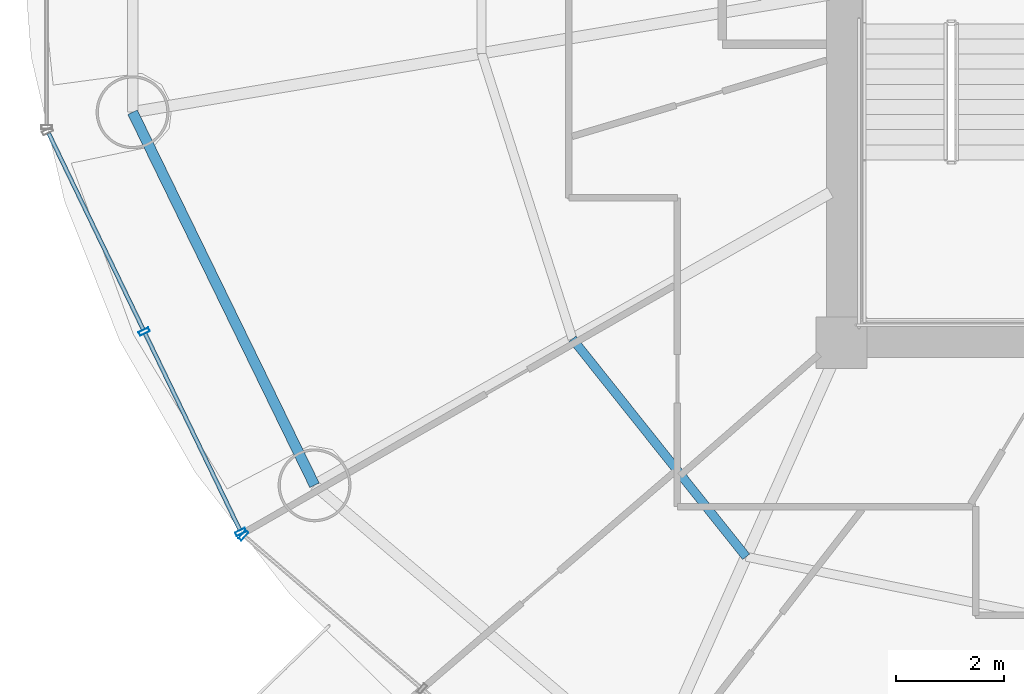
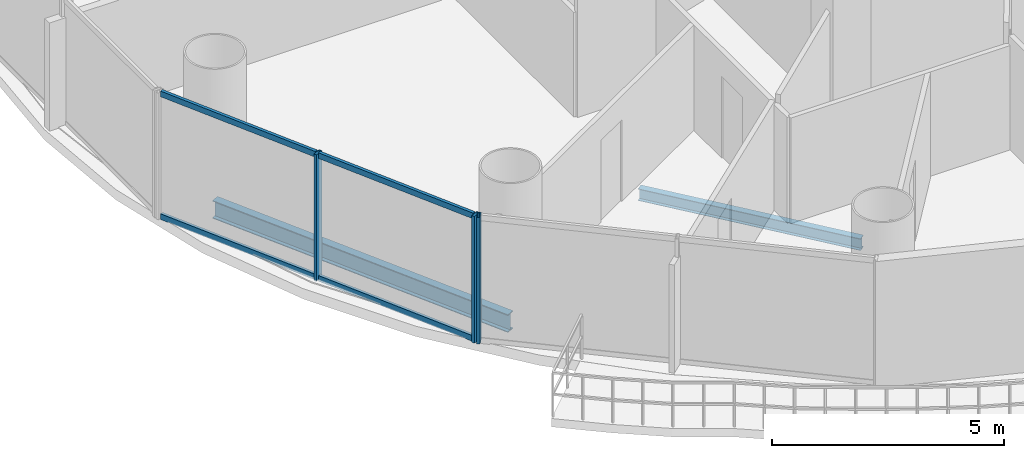
# One storey, part 3 of 27: 7 members, 2 beams, 2 elements without a shape of their own.
"""IFC4 building model written with IfcOpenShell, lengths in metres."""

from ifc_helpers import new_model, si_unit, direction, frame, origin, origin_2d, place, context, subcontext, project, spatial, hollow_rectangle, i_section, extrude, source, transform, mapped, material, material_profile, profile_set, type_object, element, aggregate, save


model = new_model("IFC4")

# Units and contexts
model_context = context("Model", 3, precision=1e-05, world=origin(), true_north=direction((-0.2419218956, 0.970295726276)))
body_context = subcontext(model_context, "Body", "Model", "MODEL_VIEW")
ifc_project = project(units=[si_unit("LENGTHUNIT", "METRE"), si_unit("AREAUNIT", "SQUARE_METRE"), si_unit("VOLUMEUNIT", "CUBIC_METRE"), si_unit("PLANEANGLEUNIT", "RADIAN"), si_unit("MASSUNIT", "GRAM", prefix="KILO")], contexts=[model_context])

# Site, building, storey
site_placement = place(None, origin())
site = spatial("IfcSite", under=ifc_project, at=site_placement, CompositionType="ELEMENT")
building_placement = place(site_placement, origin())
building = spatial("IfcBuilding", under=site, at=building_placement, Name="Cobrevalo Terracotta Tower", CompositionType="ELEMENT")
storey_placement = place(building_placement, frame((0.0, 0.0, 160.60009765625)))
storey = spatial("IfcBuildingStorey", under=building, at=storey_placement, Name="L42", CompositionType="ELEMENT", Elevation=160.60009765625)

# Beams
ifc_material_1 = material(Name="Steel S355", Category="steel")
ifc_material_profile_1 = material_profile(ifc_material_1, i_section(OverallWidth=0.1650390625, OverallDepth=0.31005859375, WebThickness=0.005859375, FlangeThickness=0.009765625, at=origin_2d()), Name="W 310x38.7")
ifc_profile_set_1 = profile_set([ifc_material_profile_1], Name="Steel S355")
beam_type_1 = type_object("IfcBeamType", Name="Structural Joist W 310x38.7 (Steel S355)", PredefinedType="JOIST", material=ifc_profile_set_1)
beam_1_placement = place(storey_placement, frame((24.022705078125, 18.868896484375, -0.425048828125), z_axis=(0.623382939397, -0.781916690492, 0.0), x_axis=(0.781916690492, 0.623382939397, 0.0)))
element("IfcBeam", 1, at=beam_1_placement, inside=storey, type_object=beam_type_1, Name="L42 circumferential secondary floor joist 10", PredefinedType="JOIST", context=body_context, shape_type="SweptSolid", body=[
    extrude(i_section(OverallWidth=0.1650390625, OverallDepth=0.31005859375, WebThickness=0.005859375, FlangeThickness=0.009765625, at=origin_2d()), origin(), (0.0, 0.0, 1.0), 5.154296875),
])
ifc_material_profile_2 = material_profile(ifc_material_1, i_section(OverallWidth=0.194091796875, OverallDepth=0.468994140625, WebThickness=0.011474609375, FlangeThickness=0.0205078125, at=origin_2d()), Name="W 460x106")
ifc_profile_set_2 = profile_set([ifc_material_profile_2], Name="Steel S355")
beam_type_2 = type_object("IfcBeamType", Name="Structural Spandrel W 460x106 (Steel S355)", PredefinedType="SPANDREL", material=ifc_profile_set_2)
beam_2_placement = place(storey_placement, frame((15.88330078125, 23.06396484375, -0.504638671875), z_axis=(0.438380418332, -0.898789524206, 0.0), x_axis=(0.898789524206, 0.438380418332, 0.0)))
element("IfcBeam", 2, at=beam_2_placement, inside=storey, type_object=beam_type_2, Name="L42 perimeter ring spandrel 09", PredefinedType="SPANDREL", context=body_context, shape_type="SweptSolid", body=[
    extrude(i_section(OverallWidth=0.194091796875, OverallDepth=0.468994140625, WebThickness=0.011474609375, FlangeThickness=0.0205078125, at=origin_2d()), origin(), (0.0, 0.0, 1.0), 7.680419921875),
])

# Curtain wall, members
ifc_material_2 = material(Name="Anodized aluminium", Category="aluminium")
curtain_wall_type = type_object("IfcCurtainWallType", Name="Mid-tower high-wind unitised curtain wall CW-U2", PredefinedType="NOTDEFINED", material=ifc_material_2)
curtain_wall_1_placement = place(storey_placement, origin())
curtain_wall_1 = element("IfcCurtainWall", 3, at=curtain_wall_1_placement, inside=storey, type_object=curtain_wall_type, Name="L42 curtain wall CW-L42-S09", PredefinedType="NOTDEFINED")
ifc_material_profile_3 = material_profile(ifc_material_2, hollow_rectangle(XDim=0.074951171875, YDim=0.14990234375, WallThickness=0.00439453125, at=origin_2d()), Name="CWT 75x150")
ifc_profile_set_3 = profile_set([ifc_material_profile_3], Name="Anodized aluminium")
member_type_1 = type_object("IfcMemberType", Name="Tower unitised aluminium transom 75x150", PredefinedType="USERDEFINED", material=ifc_profile_set_3)
shared_shape_1 = source(origin(), body_context, "Body", "SweptSolid", [
    extrude(hollow_rectangle(XDim=0.074951171875, YDim=0.14990234375, WallThickness=0.00439453125, at=origin_2d()), origin(), (0.0, 0.0, 1.0), 4.035888671875),
])
member_1_placement = place(storey_placement, frame((14.3291015625, 22.676025390625, 0.0498046875), z_axis=(0.434221176581, -0.900806288726, 0.0), x_axis=(0.900806288726, 0.434221176581, 0.0)))
member_1 = element("IfcMember", 4, at=member_1_placement, type_object=member_type_1, Name="CW-L42-S09 transom B01-T1", ObjectType="TRANSOM", PredefinedType="USERDEFINED", context=body_context, shape_type="MappedRepresentation", body=[
    mapped(shared_shape_1, transform((0.0, 0.0, 0.0), scale=1.0)),
])
member_2_placement = place(storey_placement, frame((14.3291015625, 22.676025390625, 3.27978515625), z_axis=(0.434221176581, -0.900806288726, 0.0), x_axis=(0.900806288726, 0.434221176581, 0.0)))
member_2 = element("IfcMember", 5, at=member_2_placement, type_object=member_type_1, Name="CW-L42-S09 transom B01-T2", ObjectType="TRANSOM", PredefinedType="USERDEFINED", context=body_context, shape_type="MappedRepresentation", body=[
    mapped(shared_shape_1, transform((0.0, 0.0, 0.0), scale=1.0)),
])
member_3_placement = place(storey_placement, frame((16.1162109375, 18.96826171875, 0.0498046875), z_axis=(0.434221176581, -0.900806288726, 0.0), x_axis=(0.900806288726, 0.434221176581, 0.0)))
member_3 = element("IfcMember", 6, at=member_3_placement, type_object=member_type_1, Name="CW-L42-S09 transom B02-T1", ObjectType="TRANSOM", PredefinedType="USERDEFINED", context=body_context, shape_type="MappedRepresentation", body=[
    mapped(shared_shape_1, transform((0.0, 0.0, 0.0), scale=1.0)),
])
member_4_placement = place(storey_placement, frame((16.1162109375, 18.96826171875, 3.27978515625), z_axis=(0.434221176581, -0.900806288726, 0.0), x_axis=(0.900806288726, 0.434221176581, 0.0)))
member_4 = element("IfcMember", 7, at=member_4_placement, type_object=member_type_1, Name="CW-L42-S09 transom B02-T2", ObjectType="TRANSOM", PredefinedType="USERDEFINED", context=body_context, shape_type="MappedRepresentation", body=[
    mapped(shared_shape_1, transform((0.0, 0.0, 0.0), scale=1.0)),
])
ifc_material_profile_4 = material_profile(ifc_material_2, hollow_rectangle(XDim=0.074951171875, YDim=0.199951171875, WallThickness=0.0048828125, at=origin_2d()), Name="CWM 75x200")
ifc_profile_set_4 = profile_set([ifc_material_profile_4], Name="Anodized aluminium")
member_type_2 = type_object("IfcMemberType", Name="Lower/mid tower unitised mullion 75x200", PredefinedType="MULLION", material=ifc_profile_set_4)
shared_shape_2 = source(origin(), body_context, "Body", "SweptSolid", [
    extrude(hollow_rectangle(XDim=0.074951171875, YDim=0.199951171875, WallThickness=0.0048828125, at=origin_2d()), origin(), (0.0, 0.0, 1.0), 3.329833984375),
])
member_5_placement = place(storey_placement, frame((16.098876953125, 19.00439453125, 0.0), z_axis=(0.0, 0.0, 1.0), x_axis=(0.434209440271, -0.900811945957, 0.0)))
member_5 = element("IfcMember", 8, at=member_5_placement, type_object=member_type_2, Name="CW-L42-S09 vertical mullion 02", PredefinedType="MULLION", context=body_context, shape_type="MappedRepresentation", body=[
    mapped(shared_shape_2, transform((0.0, 0.0, 0.0), scale=1.0)),
])
member_6_placement = place(storey_placement, frame((17.885986328125, 15.296875, 0.0), z_axis=(0.0, 0.0, 1.0), x_axis=(0.434209440271, -0.900811945957, 0.0)))
member_6 = element("IfcMember", 9, at=member_6_placement, type_object=member_type_2, Name="CW-L42-S09 vertical mullion 03", PredefinedType="MULLION", context=body_context, shape_type="MappedRepresentation", body=[
    mapped(shared_shape_2, transform((0.0, 0.0, 0.0), scale=1.0)),
])
aggregate(curtain_wall_1, [member_5, member_6, member_1, member_2, member_3, member_4])

# Curtain wall, member
curtain_wall_2_placement = place(storey_placement, origin())
curtain_wall_2 = element("IfcCurtainWall", 10, at=curtain_wall_2_placement, inside=storey, type_object=curtain_wall_type, Name="L42 curtain wall CW-L42-S10", PredefinedType="NOTDEFINED")
member_7_placement = place(storey_placement, frame((17.933837890625, 15.234619140625, 0.0), z_axis=(0.0, 0.0, 1.0), x_axis=(0.758441546142, -0.65174106905, 0.0)))
member_7 = element("IfcMember", 11, at=member_7_placement, type_object=member_type_2, Name="CW-L42-S10 vertical mullion 01", PredefinedType="MULLION", context=body_context, shape_type="MappedRepresentation", body=[
    mapped(shared_shape_2, transform((0.0, 0.0, 0.0), scale=1.0)),
])
aggregate(curtain_wall_2, [member_7])

save(model, "model.ifc")
